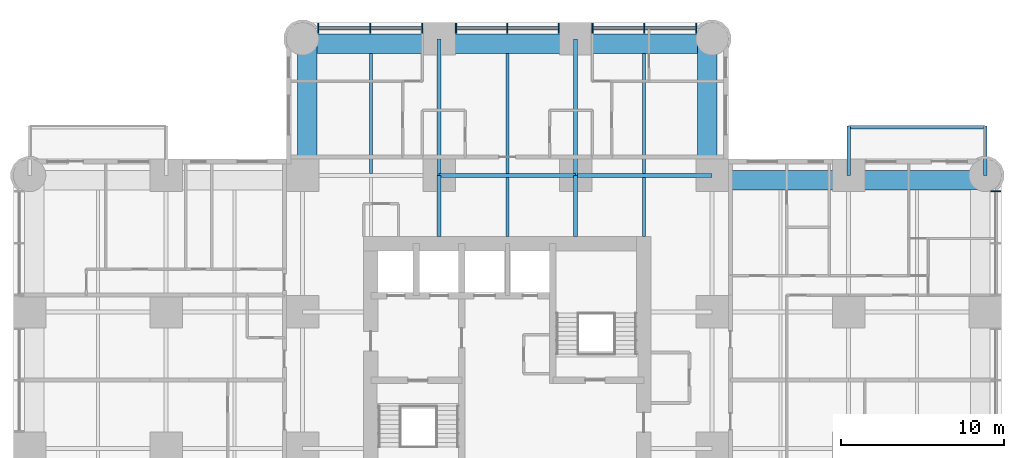
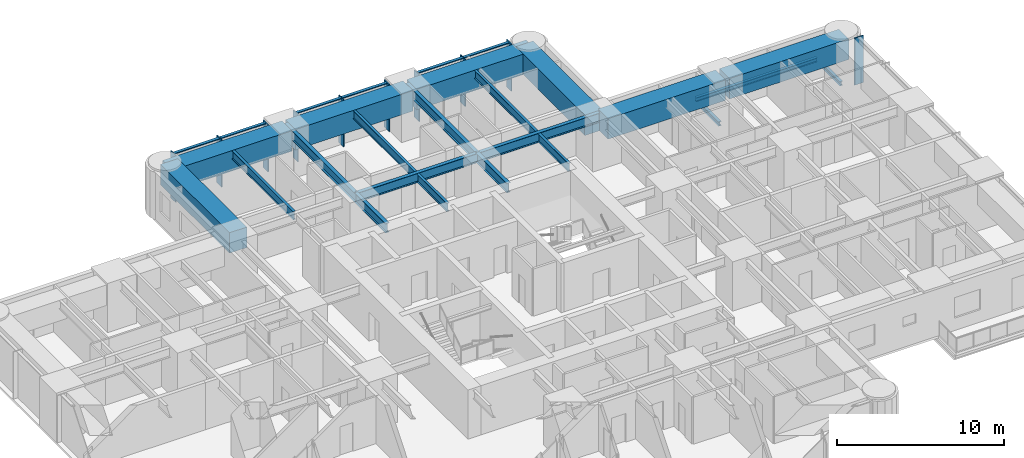
# One storey, part 4 of 14: 21 beams, 16 members, 2 elements without a shape of their own.
"""IFC4 building model written with IfcOpenShell, lengths in metres."""

from ifc_helpers import new_model, si_unit, direction, frame, origin, origin_2d, place, context, subcontext, project, spatial, rectangle, i_section, extrude, material, material_profile, profile_set, type_object, element, aggregate, save


model = new_model("IFC4")

# Units and contexts
model_context = context("Model", 3, precision=1e-05, world=origin(), true_north=direction((0.0, 1.0)))
body_context = subcontext(model_context, "Body", "Model", "MODEL_VIEW")
ifc_project = project(units=[si_unit("LENGTHUNIT", "METRE"), si_unit("AREAUNIT", "SQUARE_METRE"), si_unit("VOLUMEUNIT", "CUBIC_METRE"), si_unit("PLANEANGLEUNIT", "RADIAN"), si_unit("MASSUNIT", "GRAM", prefix="KILO")], contexts=[model_context])

# Site, building, storey
site_placement = place(None, origin())
site = spatial("IfcSite", under=ifc_project, at=site_placement, CompositionType="ELEMENT")
building_placement = place(site_placement, origin())
building = spatial("IfcBuilding", under=site, at=building_placement, Name="Torre Alcanfor", CompositionType="ELEMENT")
storey_placement = place(building_placement, frame((0.0, 0.0, 112.5)))
storey = spatial("IfcBuildingStorey", under=building, at=storey_placement, Name="L28", CompositionType="ELEMENT", Elevation=112.5)

# Beams
ifc_material_1 = material(Name="Steel ASTM A992 Grade 50", Category="steel")
ifc_material_profile_1 = material_profile(ifc_material_1, i_section(OverallWidth=0.205322265625, OverallDepth=0.309814453125, WebThickness=0.00927734375, FlangeThickness=0.016357421875, at=origin_2d()), Name="W12x50")
ifc_profile_set_1 = profile_set([ifc_material_profile_1], Name="Steel ASTM A992 Grade 50")
beam_type_1 = type_object("IfcBeamType", Name="Balcony cantilever beam W12x50", PredefinedType="BEAM", material=ifc_profile_set_1)
for number, where, z_axis, x_axis, name in (
    (1, (50.39990234375, 42.0, -0.35498046875), (0.0, 1.0, 0.0), (-1.0, 0.0, 0.0), "Balcony cantilever beam L28-E1 1"),
    (2, (58.800048828125, 42.0, -0.35498046875), (0.0, 1.0, 0.0), (-1.0, 0.0, 0.0), "Balcony cantilever beam L28-E1 2"),
):
    element("IfcBeam", number, at=place(storey_placement, frame(where, z_axis=z_axis, x_axis=x_axis)), inside=storey, type_object=beam_type_1, Name=name, PredefinedType="BEAM", context=body_context, shape_type="SweptSolid", body=[
        extrude(i_section(OverallWidth=0.205322265625, OverallDepth=0.309814453125, WebThickness=0.00927734375, FlangeThickness=0.016357421875, at=origin_2d()), origin(), (0.0, 0.0, 1.0), 3.050048828125),
    ])
ifc_material_2 = material(Name="Steel ASTM A992 Grade 50", Category="steel")
ifc_material_profile_2 = material_profile(ifc_material_2, i_section(OverallWidth=0.203369140625, OverallDepth=0.30224609375, WebThickness=0.007568359375, FlangeThickness=0.01318359375, at=origin_2d()), Name="W12x40")
ifc_profile_set_2 = profile_set([ifc_material_profile_2], Name="Steel ASTM A992 Grade 50")
beam_type_2 = type_object("IfcBeamType", Name="Balcony edge trimmer W12x40", PredefinedType="BEAM", material=ifc_profile_set_2)
beam_1_placement = place(storey_placement, frame((50.39990234375, 44.9482421875, -0.35107421875), z_axis=(1.0, 0.0, 0.0), x_axis=(0.0, 1.0, 0.0)))
element("IfcBeam", 3, at=beam_1_placement, inside=storey, type_object=beam_type_2, Name="Balcony edge trimmer L28-E1", PredefinedType="BEAM", context=body_context, shape_type="SweptSolid", body=[
    extrude(i_section(OverallWidth=0.203369140625, OverallDepth=0.30224609375, WebThickness=0.007568359375, FlangeThickness=0.01318359375, at=origin_2d()), origin(), (0.0, 0.0, 1.0), 8.400146484375),
])

# Curtain wall, member
ifc_material_3 = material(Name="Aluminium and glass", Category="aluminium")
curtain_wall_type = type_object("IfcCurtainWallType", Name="CW-A unitised apartment glazing with vertical FIN", PredefinedType="NOTDEFINED", material=ifc_material_3)
curtain_wall_1_placement = place(storey_placement, origin())
curtain_wall_1 = element("IfcCurtainWall", 4, at=curtain_wall_1_placement, inside=storey, type_object=curtain_wall_type, Name="Curtain wall CW-A L28 8", PredefinedType="NOTDEFINED")
ifc_material_4 = material(Name="Bronze anodised aluminium", Category="aluminium")
ifc_material_profile_3 = material_profile(ifc_material_4, rectangle(XDim=0.60009765625, YDim=0.06494140625, at=origin_2d()), Name="CW-A mullion 65x600")
ifc_profile_set_3 = profile_set([ifc_material_profile_3], Name="Bronze anodised aluminium")
member_type_1 = type_object("IfcMemberType", Name="CW-A mullion with vertical FIN 65x600", PredefinedType="MULLION", material=ifc_profile_set_3)
member_1_placement = place(storey_placement, frame((59.449951171875, 41.025390625, 0.0), z_axis=(0.0, 0.0, 1.0), x_axis=(-1.0, 0.0, 0.0)))
member_1 = element("IfcMember", 5, at=member_1_placement, type_object=member_type_1, Name="CW-A mullion 3.3", PredefinedType="MULLION", context=body_context, shape_type="SweptSolid", body=[
    extrude(rectangle(XDim=0.60009765625, YDim=0.06494140625, at=origin_2d()), origin(), (0.0, 0.0, 1.0), 3.449951171875),
])
aggregate(curtain_wall_1, [member_1])

# Curtain wall, members
curtain_wall_2_placement = place(storey_placement, origin())
curtain_wall_2 = element("IfcCurtainWall", 6, at=curtain_wall_2_placement, inside=storey, type_object=curtain_wall_type, Name="Curtain wall CW-A L28 11", PredefinedType="NOTDEFINED")
member_2_placement = place(storey_placement, frame((41.025390625, 51.050048828125, 0.0), z_axis=(0.0, 0.0, 1.0), x_axis=(0.0, -1.0, 0.0)))
member_2 = element("IfcMember", 7, at=member_2_placement, type_object=member_type_1, Name="CW-A mullion 1.1", PredefinedType="MULLION", context=body_context, shape_type="SweptSolid", body=[
    extrude(rectangle(XDim=0.60009765625, YDim=0.06494140625, at=origin_2d()), origin(), (0.0, 0.0, 1.0), 3.449951171875),
])
member_3_placement = place(storey_placement, frame((37.83154296875, 51.050048828125, 0.0), z_axis=(0.0, 0.0, 1.0), x_axis=(0.0, -1.0, 0.0)))
member_3 = element("IfcMember", 8, at=member_3_placement, type_object=member_type_1, Name="CW-A mullion 1.2", PredefinedType="MULLION", context=body_context, shape_type="SweptSolid", body=[
    extrude(rectangle(XDim=0.60009765625, YDim=0.06494140625, at=origin_2d()), origin(), (0.0, 0.0, 1.0), 3.449951171875),
])
member_4_placement = place(storey_placement, frame((34.637451171875, 51.050048828125, 0.0), z_axis=(0.0, 0.0, 1.0), x_axis=(0.0, -1.0, 0.0)))
member_4 = element("IfcMember", 9, at=member_4_placement, type_object=member_type_1, Name="CW-A mullion 1.3", PredefinedType="MULLION", context=body_context, shape_type="SweptSolid", body=[
    extrude(rectangle(XDim=0.60009765625, YDim=0.06494140625, at=origin_2d()), origin(), (0.0, 0.0, 1.0), 3.449951171875),
])
member_5_placement = place(storey_placement, frame((32.5625, 51.050048828125, 0.0), z_axis=(0.0, 0.0, 1.0), x_axis=(0.0, -1.0, 0.0)))
member_5 = element("IfcMember", 10, at=member_5_placement, type_object=member_type_1, Name="CW-A mullion 2.1", PredefinedType="MULLION", context=body_context, shape_type="SweptSolid", body=[
    extrude(rectangle(XDim=0.60009765625, YDim=0.06494140625, at=origin_2d()), origin(), (0.0, 0.0, 1.0), 3.449951171875),
])
member_6_placement = place(storey_placement, frame((29.39990234375, 51.050048828125, 0.0), z_axis=(0.0, 0.0, 1.0), x_axis=(0.0, -1.0, 0.0)))
member_6 = element("IfcMember", 11, at=member_6_placement, type_object=member_type_1, Name="CW-A mullion 2.2", PredefinedType="MULLION", context=body_context, shape_type="SweptSolid", body=[
    extrude(rectangle(XDim=0.60009765625, YDim=0.06494140625, at=origin_2d()), origin(), (0.0, 0.0, 1.0), 3.449951171875),
])
member_7_placement = place(storey_placement, frame((26.237548828125, 51.050048828125, 0.0), z_axis=(0.0, 0.0, 1.0), x_axis=(0.0, -1.0, 0.0)))
member_7 = element("IfcMember", 12, at=member_7_placement, type_object=member_type_1, Name="CW-A mullion 2.3", PredefinedType="MULLION", context=body_context, shape_type="SweptSolid", body=[
    extrude(rectangle(XDim=0.60009765625, YDim=0.06494140625, at=origin_2d()), origin(), (0.0, 0.0, 1.0), 3.449951171875),
])
member_8_placement = place(storey_placement, frame((24.16259765625, 51.050048828125, 0.0), z_axis=(0.0, 0.0, 1.0), x_axis=(0.0, -1.0, 0.0)))
member_8 = element("IfcMember", 13, at=member_8_placement, type_object=member_type_1, Name="CW-A mullion 3.1", PredefinedType="MULLION", context=body_context, shape_type="SweptSolid", body=[
    extrude(rectangle(XDim=0.60009765625, YDim=0.06494140625, at=origin_2d()), origin(), (0.0, 0.0, 1.0), 3.449951171875),
])
member_9_placement = place(storey_placement, frame((20.968505859375, 51.050048828125, 0.0), z_axis=(0.0, 0.0, 1.0), x_axis=(0.0, -1.0, 0.0)))
member_9 = element("IfcMember", 14, at=member_9_placement, type_object=member_type_1, Name="CW-A mullion 3.2", PredefinedType="MULLION", context=body_context, shape_type="SweptSolid", body=[
    extrude(rectangle(XDim=0.60009765625, YDim=0.06494140625, at=origin_2d()), origin(), (0.0, 0.0, 1.0), 3.449951171875),
])
member_10_placement = place(storey_placement, frame((17.7744140625, 51.050048828125, 0.0), z_axis=(0.0, 0.0, 1.0), x_axis=(0.0, -1.0, 0.0)))
member_10 = element("IfcMember", 15, at=member_10_placement, type_object=member_type_1, Name="CW-A mullion 3.3", PredefinedType="MULLION", context=body_context, shape_type="SweptSolid", body=[
    extrude(rectangle(XDim=0.60009765625, YDim=0.06494140625, at=origin_2d()), origin(), (0.0, 0.0, 1.0), 3.449951171875),
])
ifc_material_5 = material(Name="Extruded aluminium", Category="aluminium")
ifc_material_profile_4 = material_profile(ifc_material_5, rectangle(XDim=0.199951171875, YDim=0.06494140625, at=origin_2d()), Name="CW-A transom 200x65")
ifc_profile_set_4 = profile_set([ifc_material_profile_4], Name="Extruded aluminium")
member_type_2 = type_object("IfcMemberType", Name="CW-A transom 65x200", PredefinedType="USERDEFINED", material=ifc_profile_set_4)
member_11_placement = place(storey_placement, frame((40.992919921875, 51.050048828125, 3.41748046875), z_axis=(-1.0, 0.0, 0.0), x_axis=(0.0, -1.0, 0.0)))
member_11 = element("IfcMember", 16, at=member_11_placement, type_object=member_type_2, Name="CW-A transom 1.1.2", ObjectType="TRANSOM", PredefinedType="USERDEFINED", context=body_context, shape_type="SweptSolid", body=[
    extrude(rectangle(XDim=0.199951171875, YDim=0.06494140625, at=origin_2d()), origin(), (0.0, 0.0, 1.0), 3.12890625),
])
member_12_placement = place(storey_placement, frame((37.799072265625, 51.050048828125, 3.41748046875), z_axis=(-1.0, 0.0, 0.0), x_axis=(0.0, -1.0, 0.0)))
member_12 = element("IfcMember", 17, at=member_12_placement, type_object=member_type_2, Name="CW-A transom 1.2.2", ObjectType="TRANSOM", PredefinedType="USERDEFINED", context=body_context, shape_type="SweptSolid", body=[
    extrude(rectangle(XDim=0.199951171875, YDim=0.06494140625, at=origin_2d()), origin(), (0.0, 0.0, 1.0), 3.129150390625),
])
member_13_placement = place(storey_placement, frame((32.530029296875, 51.050048828125, 3.41748046875), z_axis=(-1.0, 0.0, 0.0), x_axis=(0.0, -1.0, 0.0)))
member_13 = element("IfcMember", 18, at=member_13_placement, type_object=member_type_2, Name="CW-A transom 2.1.2", ObjectType="TRANSOM", PredefinedType="USERDEFINED", context=body_context, shape_type="SweptSolid", body=[
    extrude(rectangle(XDim=0.199951171875, YDim=0.06494140625, at=origin_2d()), origin(), (0.0, 0.0, 1.0), 3.097412109375),
])
member_14_placement = place(storey_placement, frame((29.367431640625, 51.050048828125, 3.41748046875), z_axis=(-1.0, 0.0, 0.0), x_axis=(0.0, -1.0, 0.0)))
member_14 = element("IfcMember", 19, at=member_14_placement, type_object=member_type_2, Name="CW-A transom 2.2.2", ObjectType="TRANSOM", PredefinedType="USERDEFINED", context=body_context, shape_type="SweptSolid", body=[
    extrude(rectangle(XDim=0.199951171875, YDim=0.06494140625, at=origin_2d()), origin(), (0.0, 0.0, 1.0), 3.097412109375),
])
member_15_placement = place(storey_placement, frame((24.1298828125, 51.050048828125, 3.41748046875), z_axis=(-1.0, 0.0, 0.0), x_axis=(0.0, -1.0, 0.0)))
member_15 = element("IfcMember", 20, at=member_15_placement, type_object=member_type_2, Name="CW-A transom 3.1.2", ObjectType="TRANSOM", PredefinedType="USERDEFINED", context=body_context, shape_type="SweptSolid", body=[
    extrude(rectangle(XDim=0.199951171875, YDim=0.06494140625, at=origin_2d()), origin(), (0.0, 0.0, 1.0), 3.12890625),
])
member_16_placement = place(storey_placement, frame((20.93603515625, 51.050048828125, 3.41748046875), z_axis=(-1.0, 0.0, 0.0), x_axis=(0.0, -1.0, 0.0)))
member_16 = element("IfcMember", 21, at=member_16_placement, type_object=member_type_2, Name="CW-A transom 3.2.2", ObjectType="TRANSOM", PredefinedType="USERDEFINED", context=body_context, shape_type="SweptSolid", body=[
    extrude(rectangle(XDim=0.199951171875, YDim=0.06494140625, at=origin_2d()), origin(), (0.0, 0.0, 1.0), 3.129150390625),
])
aggregate(curtain_wall_2, [member_2, member_3, member_4, member_11, member_12, member_5, member_6, member_7, member_13, member_14, member_8, member_9, member_10, member_15, member_16])

# Beams
ifc_material_6 = material(Name="Steel ASTM A992 Grade 50", Category="steel")
ifc_material_profile_5 = material_profile(ifc_material_6, i_section(OverallWidth=0.25390625, OverallDepth=0.683349609375, WebThickness=0.012451171875, FlangeThickness=0.01904296875, at=origin_2d()), Name="W27x94")
ifc_profile_set_5 = profile_set([ifc_material_profile_5], Name="Steel ASTM A992 Grade 50")
beam_type_3 = type_object("IfcBeamType", Name="Girder W27x94", PredefinedType="BEAM", material=ifc_profile_set_5)
beam_2_placement = place(storey_placement, frame((25.199951171875, 42.0, 3.1083984375), z_axis=(1.0, 0.0, 0.0), x_axis=(0.0, 1.0, 0.0)))
element("IfcBeam", 22, at=beam_2_placement, inside=storey, type_object=beam_type_3, Name="Beam 4H-5H under L29", PredefinedType="BEAM", context=body_context, shape_type="SweptSolid", body=[
    extrude(i_section(OverallWidth=0.25390625, OverallDepth=0.683349609375, WebThickness=0.012451171875, FlangeThickness=0.01904296875, at=origin_2d()), origin(), (0.0, 0.0, 1.0), 8.400146484375),
])
for number, where, z_axis, x_axis, name in (
    (23, (33.60009765625, 42.0, 3.1083984375), (1.0, 0.0, 0.0), (0.0, 1.0, 0.0), "Beam 5H-6H under L29"),
    (24, (25.199951171875, 42.0, 3.1083984375), (0.0, 1.0, 0.0), (-1.0, 0.0, 0.0), "Beam 4H-4J under L29"),
    (25, (33.60009765625, 42.0, 3.1083984375), (0.0, 1.0, 0.0), (-1.0, 0.0, 0.0), "Beam 5H-5J under L29"),
):
    element("IfcBeam", number, at=place(storey_placement, frame(where, z_axis=z_axis, x_axis=x_axis)), inside=storey, type_object=beam_type_3, Name=name, PredefinedType="BEAM", context=body_context, shape_type="SweptSolid", body=[
        extrude(i_section(OverallWidth=0.25390625, OverallDepth=0.683349609375, WebThickness=0.012451171875, FlangeThickness=0.01904296875, at=origin_2d()), origin(), (0.0, 0.0, 1.0), 8.39990234375),
    ])
ifc_material_7 = material(Name="Steel ASTM A992 Grade 50", Category="steel")
ifc_material_profile_6 = material_profile(ifc_material_7, i_section(OverallWidth=0.25390625, OverallDepth=0.683349609375, WebThickness=0.012451171875, FlangeThickness=0.01904296875, at=origin_2d()), Name="W27x94")
ifc_profile_set_6 = profile_set([ifc_material_profile_6], Name="Steel ASTM A992 Grade 50")
beam_type_4 = type_object("IfcBeamType", Name="Girder, part bay W27x94", PredefinedType="BEAM", material=ifc_profile_set_6)
for number, where, z_axis, x_axis, name in (
    (26, (25.199951171875, 42.0, 3.1083984375), (0.0, -1.0, 0.0), (1.0, 0.0, 0.0), "Beam 4H-438_25 under L29"),
    (27, (33.60009765625, 42.0, 3.1083984375), (0.0, -1.0, 0.0), (1.0, 0.0, 0.0), "Beam 5H-538_25 under L29"),
):
    element("IfcBeam", number, at=place(storey_placement, frame(where, z_axis=z_axis, x_axis=x_axis)), inside=storey, type_object=beam_type_4, Name=name, PredefinedType="BEAM", context=body_context, shape_type="SweptSolid", body=[
        extrude(i_section(OverallWidth=0.25390625, OverallDepth=0.683349609375, WebThickness=0.012451171875, FlangeThickness=0.01904296875, at=origin_2d()), origin(), (0.0, 0.0, 1.0), 3.75),
    ])
ifc_material_8 = material(Name="Concrete f'c 70 MPa", Category="concrete")
ifc_material_profile_7 = material_profile(ifc_material_8, rectangle(XDim=1.199951171875, YDim=1.5, at=origin_2d()), Name="1200x1500")
ifc_profile_set_7 = profile_set([ifc_material_profile_7], Name="Concrete f'c 70 MPa")
beam_type_5 = type_object("IfcBeamType", Name="RC perimeter beam 1200x1500", PredefinedType="BEAM", material=ifc_profile_set_7)
beam_3_placement = place(storey_placement, frame((42.126953125, 41.699951171875, 2.699951171875), z_axis=(1.0, 0.0, 0.0), x_axis=(0.0, 1.0, 0.0)))
element("IfcBeam", 28, at=beam_3_placement, inside=storey, type_object=beam_type_5, Name="Beam 6H-7H under L29", PredefinedType="BEAM", context=body_context, shape_type="SweptSolid", body=[
    extrude(rectangle(XDim=1.199951171875, YDim=1.5, at=origin_2d()), origin(), (0.0, 0.0, 1.0), 8.14599609375),
])
for number, where, z_axis, x_axis, name in (
    (29, (50.527099609375, 41.699951171875, 2.699951171875), (1.0, 0.0, 0.0), (0.0, 1.0, 0.0), "Beam 7H-8H under L29"),
    (30, (16.800048828125, 50.10009765625, 2.699951171875), (1.0, 0.0, 0.0), (0.0, 1.0, 0.0), "Beam 3J-4J under L29"),
):
    element("IfcBeam", number, at=place(storey_placement, frame(where, z_axis=z_axis, x_axis=x_axis)), inside=storey, type_object=beam_type_5, Name=name, PredefinedType="BEAM", context=body_context, shape_type="SweptSolid", body=[
        extrude(rectangle(XDim=1.199951171875, YDim=1.5, at=origin_2d()), origin(), (0.0, 0.0, 1.0), 8.27294921875),
    ])
beam_4_placement = place(storey_placement, frame((25.326904296875, 50.10009765625, 2.699951171875), z_axis=(1.0, 0.0, 0.0), x_axis=(0.0, 1.0, 0.0)))
element("IfcBeam", 31, at=beam_4_placement, inside=storey, type_object=beam_type_5, Name="Beam 4J-5J under L29", PredefinedType="BEAM", context=body_context, shape_type="SweptSolid", body=[
    extrude(rectangle(XDim=1.199951171875, YDim=1.5, at=origin_2d()), origin(), (0.0, 0.0, 1.0), 8.14599609375),
])
for number, where, z_axis, x_axis, name in (
    (32, (33.72705078125, 50.10009765625, 2.699951171875), (1.0, 0.0, 0.0), (0.0, 1.0, 0.0), "Beam 5J-6J under L29"),
    (33, (17.10009765625, 42.126953125, 2.699951171875), (0.0, 1.0, 0.0), (-1.0, 0.0, 0.0), "Beam 3H-3J under L29"),
    (34, (41.699951171875, 42.126953125, 2.699951171875), (0.0, 1.0, 0.0), (-1.0, 0.0, 0.0), "Beam 6H-6J under L29"),
):
    element("IfcBeam", number, at=place(storey_placement, frame(where, z_axis=z_axis, x_axis=x_axis)), inside=storey, type_object=beam_type_5, Name=name, PredefinedType="BEAM", context=body_context, shape_type="SweptSolid", body=[
        extrude(rectangle(XDim=1.199951171875, YDim=1.5, at=origin_2d()), origin(), (0.0, 0.0, 1.0), 8.27294921875),
    ])
ifc_material_9 = material(Name="Steel ASTM A992 Grade 50", Category="steel")
ifc_material_profile_8 = material_profile(ifc_material_9, i_section(OverallWidth=0.1787109375, OverallDepth=0.60205078125, WebThickness=0.010986328125, FlangeThickness=0.014892578125, at=origin_2d()), Name="W24x62")
ifc_profile_set_8 = profile_set([ifc_material_profile_8], Name="Steel ASTM A992 Grade 50")
beam_type_6 = type_object("IfcBeamType", Name="Secondary beam W24x62", PredefinedType="BEAM", material=ifc_profile_set_8)
for number, where, z_axis, x_axis, name in (
    (35, (21.0, 42.126953125, 3.14892578125), (0.0, 1.0, 0.0), (-1.0, 0.0, 0.0), "Beam 21H-21J under L29"),
    (36, (29.39990234375, 42.126953125, 3.14892578125), (0.0, 1.0, 0.0), (-1.0, 0.0, 0.0), "Beam 29_4H-29_4J under L29"),
    (37, (37.800048828125, 42.126953125, 3.14892578125), (0.0, 1.0, 0.0), (-1.0, 0.0, 0.0), "Beam 37_8H-37_8J under L29"),
):
    element("IfcBeam", number, at=place(storey_placement, frame(where, z_axis=z_axis, x_axis=x_axis)), inside=storey, type_object=beam_type_6, Name=name, PredefinedType="BEAM", context=body_context, shape_type="SweptSolid", body=[
        extrude(i_section(OverallWidth=0.1787109375, OverallDepth=0.60205078125, WebThickness=0.010986328125, FlangeThickness=0.014892578125, at=origin_2d()), origin(), (0.0, 0.0, 1.0), 7.373046875),
    ])
ifc_material_10 = material(Name="Steel ASTM A992 Grade 50", Category="steel")
ifc_material_profile_9 = material_profile(ifc_material_10, i_section(OverallWidth=0.1787109375, OverallDepth=0.60205078125, WebThickness=0.010986328125, FlangeThickness=0.014892578125, at=origin_2d()), Name="W24x62")
ifc_profile_set_9 = profile_set([ifc_material_profile_9], Name="Steel ASTM A992 Grade 50")
beam_type_7 = type_object("IfcBeamType", Name="Secondary beam, part bay W24x62", PredefinedType="BEAM", material=ifc_profile_set_9)
for number, where, z_axis, x_axis, name in (
    (38, (29.39990234375, 38.25, 3.14892578125), (0.0, 1.0, 0.0), (-1.0, 0.0, 0.0), "Beam 29_438_25-29_4H under L29"),
    (39, (37.800048828125, 38.25, 3.14892578125), (0.0, 1.0, 0.0), (-1.0, 0.0, 0.0), "Beam 37_838_25-37_8H under L29"),
):
    element("IfcBeam", number, at=place(storey_placement, frame(where, z_axis=z_axis, x_axis=x_axis)), inside=storey, type_object=beam_type_7, Name=name, PredefinedType="BEAM", context=body_context, shape_type="SweptSolid", body=[
        extrude(i_section(OverallWidth=0.1787109375, OverallDepth=0.60205078125, WebThickness=0.010986328125, FlangeThickness=0.014892578125, at=origin_2d()), origin(), (0.0, 0.0, 1.0), 3.623046875),
    ])

save(model, "model.ifc")
